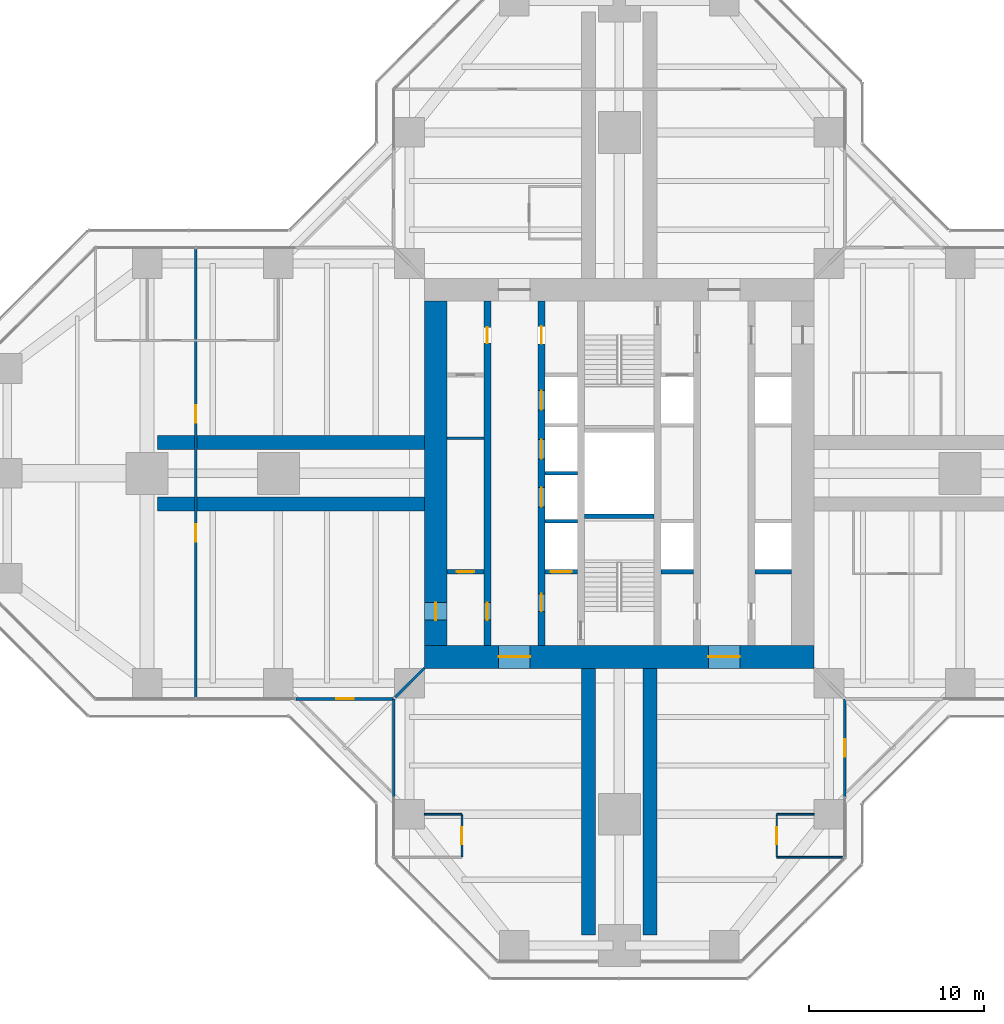
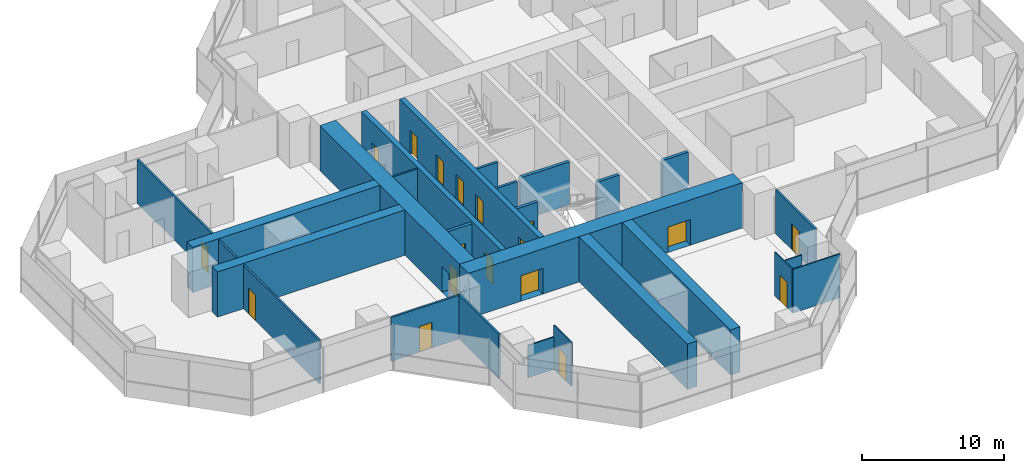
# One storey, part 15 of 19: 26 walls, 18 doors, 18 openings.
"""IFC4 building model written with IfcOpenShell, lengths in metres."""

import ifcopenshell
import ifcopenshell.guid

model = None  # the IFC model being written
_history = None  # IfcOwnerHistory: only IFC2X3 demands one
_inside = {}  # id of a spatial element -> (the spatial element, [elements in it])
_under = {}  # id of a project, library or spatial element -> (it, [spatial elements below it])
_declared = {}  # id of a project -> (the project, [libraries it declares])
_typed = {}  # id of a type object -> (the type object, [elements of that type])
_made_of = {}  # id of a material, layer set ... -> (it, [elements and type objects made of it])


def new_model(schema):
    """Start an empty IFC model of exactly this schema.

    Asked for "IFC4X3", IfcOpenShell would pick the latest addendum, in which some entities
    have other attributes; the version numbers below select the first issue.
    IFC2X3 requires an IfcOwnerHistory on every rooted entity: one is made here for all.
    """
    global model, _history
    if schema == "IFC4X3":
        model = ifcopenshell.file(schema_version=(4, 3, 0, 0))
    else:
        model = ifcopenshell.file(schema=schema)
    _inside.clear()
    _under.clear()
    _declared.clear()
    _typed.clear()
    _made_of.clear()
    _history = None
    if model.schema == "IFC2X3":
        org = make("IfcOrganization", Name="unknown")
        user = make(
            "IfcPersonAndOrganization",
            ThePerson=make("IfcPerson", FamilyName="unknown"),
            TheOrganization=org,
        )
        app = make(
            "IfcApplication",
            ApplicationDeveloper=org,
            Version="unknown",
            ApplicationFullName="unknown",
            ApplicationIdentifier="unknown",
        )
        _history = make(
            "IfcOwnerHistory",
            OwningUser=user,
            OwningApplication=app,
            ChangeAction="ADDED",
            CreationDate=0,
        )
    return model


def make(cls, **values):
    """One entity of the class cls with the attributes given. An attribute that is None is left unset."""
    return model.create_entity(
        cls, **{name: value for name, value in values.items() if value is not None}
    )


def rooted(cls, **values):
    """An entity with a GlobalId (a new one), such as an element, a storey or a relation."""
    return make(cls, GlobalId=ifcopenshell.guid.new(), OwnerHistory=_history, **values)


def si_unit(unit_type, name, prefix=None):
    """IfcSIUnit, for example si_unit("LENGTHUNIT", "METRE", prefix="MILLI")."""
    return make("IfcSIUnit", UnitType=unit_type, Prefix=prefix, Name=name)


def assignment(units):
    """IfcUnitAssignment: the units of a project."""
    return None if units is None else make("IfcUnitAssignment", Units=units)


def point(xyz):
    """IfcCartesianPoint."""
    return None if xyz is None else make("IfcCartesianPoint", Coordinates=xyz)


def direction(xyz):
    """IfcDirection."""
    return None if xyz is None else make("IfcDirection", DirectionRatios=xyz)


def frame(location, z_axis=None, x_axis=None):
    """IfcAxis2Placement3D, a coordinate frame: its origin and axes. An axis left out is left unset."""
    return make(
        "IfcAxis2Placement3D",
        Location=point(location),
        Axis=direction(z_axis),
        RefDirection=direction(x_axis),
    )


def frame_2d(location, x_axis=None):
    """IfcAxis2Placement2D, a coordinate frame in the plane: its origin and x axis."""
    return make(
        "IfcAxis2Placement2D", Location=point(location), RefDirection=direction(x_axis)
    )


def origin():
    """The frame at (0, 0, 0) with its axes left unset."""
    return frame((0.0, 0.0, 0.0))


def place(relative_to, where):
    """IfcLocalPlacement: puts the frame where relative to a parent placement (None: the world)."""
    return make(
        "IfcLocalPlacement", PlacementRelTo=relative_to, RelativePlacement=where
    )


def context(
    kind, dimensions, precision=None, world=None, true_north=None, identifier=None
):
    """IfcGeometricRepresentationContext, for example the 3D "Model" context."""
    return make(
        "IfcGeometricRepresentationContext",
        ContextIdentifier=identifier,
        ContextType=kind,
        CoordinateSpaceDimension=dimensions,
        Precision=precision,
        WorldCoordinateSystem=world,
        TrueNorth=true_north,
    )


def subcontext(parent, identifier, kind, view, scale=None):
    """IfcGeometricRepresentationSubContext, for example "Body" below "Model"."""
    return make(
        "IfcGeometricRepresentationSubContext",
        ContextIdentifier=identifier,
        ContextType=kind,
        ParentContext=parent,
        TargetScale=scale,
        TargetView=view,
    )


def project(units=None, contexts=None):
    """IfcProject with its units and contexts."""
    return rooted(
        "IfcProject",
        Name="project",
        RepresentationContexts=contexts,
        UnitsInContext=assignment(units),
    )


def spatial(cls, under=None, at=None, **own):
    """A site, building, storey or space (cls), placed at a placement, below another one or the project."""
    s = rooted(cls, ObjectPlacement=at, **own)
    if under is not None:
        _under.setdefault(under.id(), (under, []))[1].append(s)
    return s


def profile(cls, at=None, kind="AREA", **sizes):
    """A parametric profile (cls). Its sizes go by their IFC names, for example OverallWidth=200.0."""
    return make(cls, ProfileType=kind, Position=at, **sizes)


def rectangle(**sizes):
    """IfcRectangleProfileDef."""
    return profile("IfcRectangleProfileDef", **sizes)


def extrude(swept, where, along, depth):
    """IfcExtrudedAreaSolid: the profile swept, set in the frame where, extruded along a direction by depth."""
    return make(
        "IfcExtrudedAreaSolid",
        SweptArea=swept,
        Position=where,
        ExtrudedDirection=direction(along),
        Depth=depth,
    )


def shape(context_of_items, identifier, shape_type, items):
    """IfcShapeRepresentation: the items that make up one representation, for example the "Body"."""
    return make(
        "IfcShapeRepresentation",
        ContextOfItems=context_of_items,
        RepresentationIdentifier=identifier,
        RepresentationType=shape_type,
        Items=items,
    )


def material(Name=None, Category=None):
    """IfcMaterial."""
    return make("IfcMaterial", Name=Name, Category=Category)


def layer(
    of_material, thickness, ventilated=None, Name=None, Category=None, Priority=None
):
    """IfcMaterialLayer: one layer of a wall or slab, of a material (None: an air gap)."""
    return make(
        "IfcMaterialLayer",
        Material=of_material,
        LayerThickness=thickness,
        IsVentilated=ventilated,
        Name=Name,
        Category=Category,
        Priority=Priority,
    )


def layer_set(layers, Name=None):
    """IfcMaterialLayerSet."""
    return make("IfcMaterialLayerSet", MaterialLayers=layers, LayerSetName=Name)


def made_of(thing, what):
    """Note that an element or type object is made of a material, layer set ...; save() writes the relation."""
    if what is not None:
        _made_of.setdefault(what.id(), (what, []))[1].append(thing)
    return thing


def type_object(cls, material=None, **own):
    """A type object (cls), such as IfcWallType, which elements share."""
    return made_of(rooted(cls, **own), material)


def element(
    cls,
    number,
    at=None,
    inside=None,
    cuts=None,
    type_object=None,
    material=None,
    context=None,
    identifier="Body",
    shape_type=None,
    held_by="IfcProductDefinitionShape",
    body=None,
    shapes=None,
    **own,
):
    """One element of the class cls, such as IfcWall. Its Tag is "e" and its number.

    at: its placement. inside: the storey or other place that contains it. cuts: it is an
    opening in that element (IfcRelVoidsElement). A single representation is given by context,
    identifier, shape_type and body (its items); several are given by shapes. held_by: the class
    of the entity that holds the representations. save() writes the other relations.
    """
    e = rooted(cls, Tag="e%d" % number, ObjectPlacement=at, **own)
    if body is not None:
        shapes = [shape(context, identifier, shape_type, body)]
    if shapes is not None:
        e.Representation = make(held_by, Representations=shapes)
    if inside is not None:
        _inside.setdefault(inside.id(), (inside, []))[1].append(e)
    if cuts is not None:
        rooted(
            "IfcRelVoidsElement", RelatingBuildingElement=cuts, RelatedOpeningElement=e
        )
    if type_object is not None:
        _typed.setdefault(type_object.id(), (type_object, []))[1].append(e)
    return made_of(e, material)


def fill(opening, filler):
    """IfcRelFillsElement: the door or window that sits in an opening."""
    return rooted(
        "IfcRelFillsElement",
        RelatingOpeningElement=opening,
        RelatedBuildingElement=filler,
    )


def aggregate(whole, parts):
    """IfcRelAggregates: a whole, such as a stair, and the parts it consists of."""
    return rooted("IfcRelAggregates", RelatingObject=whole, RelatedObjects=parts)


def save(model, path):
    """Write the relations noted so far, then the file.

    IfcRelAggregates (storeys below a building ...), IfcRelContainedInSpatialStructure (elements
    in a storey), IfcRelDefinesByType, IfcRelAssociatesMaterial and IfcRelDeclares: one each for
    every whole, place, type object, material and project.
    """
    for whole, parts in _under.values():
        aggregate(whole, parts)
    for where, things in _inside.values():
        rooted(
            "IfcRelContainedInSpatialStructure",
            RelatedElements=things,
            RelatingStructure=where,
        )
    for kind, things in _typed.values():
        rooted("IfcRelDefinesByType", RelatedObjects=things, RelatingType=kind)
    for what, things in _made_of.values():
        rooted("IfcRelAssociatesMaterial", RelatedObjects=things, RelatingMaterial=what)
    for by, libraries in _declared.values():
        rooted("IfcRelDeclares", RelatingContext=by, RelatedDefinitions=libraries)
    model.write(path)


model = new_model("IFC4")

# Units and contexts
model_context = context("Model", 3, precision=1e-05, world=origin(), true_north=direction((0.0, 1.0)))
body_context = subcontext(model_context, "Body", "Model", "MODEL_VIEW")
ifc_project = project(units=[si_unit("LENGTHUNIT", "METRE"), si_unit("AREAUNIT", "SQUARE_METRE"), si_unit("VOLUMEUNIT", "CUBIC_METRE"), si_unit("PLANEANGLEUNIT", "RADIAN"), si_unit("MASSUNIT", "GRAM", prefix="KILO")], contexts=[model_context])

# Site, building, storey
site_placement = place(None, origin())
site = spatial("IfcSite", under=ifc_project, at=site_placement, CompositionType="ELEMENT")
building_placement = place(site_placement, origin())
building = spatial("IfcBuilding", under=site, at=building_placement, Name="Mizan Broadcast Tower", CompositionType="ELEMENT")
storey_placement = place(building_placement, frame((0.0, 0.0, 163.199951171875)))
storey = spatial("IfcBuildingStorey", under=building, at=storey_placement, Name="L37", CompositionType="ELEMENT", Elevation=163.199951171875)

# Wall, openings, doors
ifc_material_1 = material(Name="Concrete C70/85", Category="concrete")
ifc_layer_1 = layer(ifc_material_1, 0.39990234375)
ifc_layer_set_1 = layer_set([ifc_layer_1], Name="Concrete C70/85")
wall_type_1 = type_object("IfcWallType", Name="CORE INTERNAL WALL 400", PredefinedType="SHEAR", material=ifc_layer_set_1)
wall_1_placement = place(storey_placement, frame((-7.550048828125, -9.85009765625, 0.0), z_axis=(0.0, 0.0, 1.0), x_axis=(0.0, 1.0, 0.0)))
wall_1 = element("IfcWall", 1, at=wall_1_placement, inside=storey, type_object=wall_type_1, Name="Core wall CORE/XW1", PredefinedType="SHEAR", context=body_context, shape_type="SweptSolid", body=[
    extrude(rectangle(XDim=19.7001953125, YDim=0.39990234375, at=frame_2d((9.85009765625, 0.0))), origin(), (0.0, 0.0, 1.0), 3.900146484375),
])
opening_1_placement = place(wall_1_placement, frame((1.449951171875, 0.0, 0.0)))
opening_1 = element("IfcOpeningElement", 2, at=opening_1_placement, cuts=wall_1, Name="Opening D10F", PredefinedType="OPENING", context=body_context, shape_type="SweptSolid", body=[
    extrude(rectangle(XDim=1.0, YDim=2.199951171875, at=frame_2d((0.5, 1.10009765625))), frame((0.0, 0.2099609375, 0.0), z_axis=(0.0, -1.0, 0.0), x_axis=(1.0, 0.0, 0.0)), (0.0, 0.0, 1.0), 0.419921875),
])
opening_2_placement = place(wall_1_placement, frame((17.300048828125, 0.0, 0.0)))
opening_2 = element("IfcOpeningElement", 3, at=opening_2_placement, cuts=wall_1, Name="Opening D09", PredefinedType="OPENING", context=body_context, shape_type="SweptSolid", body=[
    extrude(rectangle(XDim=0.89990234375, YDim=2.10009765625, at=frame_2d((0.449951171875, 1.050048828125))), frame((0.0, 0.2099609375, 0.0), z_axis=(0.0, -1.0, 0.0), x_axis=(1.0, 0.0, 0.0)), (0.0, 0.0, 1.0), 0.419921875),
])
ifc_material_2 = material(Name="Steel door leaf in steel frame", Category="steel")
door_type_1 = type_object("IfcDoorType", Name="FIRE DOOR 1000 FD90", OperationType="SINGLE_SWING_LEFT", PredefinedType="DOOR", material=ifc_material_2)
door_1_placement = place(opening_1_placement, origin())
door_1 = element("IfcDoor", 4, at=door_1_placement, inside=storey, type_object=door_type_1, Name="West core passage door", OperationType="SINGLE_SWING_LEFT", OverallHeight=2.199951171875, OverallWidth=1.0, PredefinedType="DOOR", context=body_context, shape_type="SweptSolid", body=[
    extrude(rectangle(XDim=1.0, YDim=2.199951171875, at=frame_2d((0.5, 1.10009765625))), frame((0.0, 0.02490234375, 0.0), z_axis=(0.0, -1.0, 0.0), x_axis=(1.0, 0.0, 0.0)), (0.0, 0.0, 1.0), 0.050048828125),
])
fill(opening_1, door_1)
ifc_material_3 = material(Name="Timber door leaf in aluminium frame", Category="wood")
door_type_2 = type_object("IfcDoorType", Name="TOILET DOOR 900", OperationType="SINGLE_SWING_LEFT", PredefinedType="DOOR", material=ifc_material_3)
door_2_placement = place(opening_2_placement, origin())
door_2 = element("IfcDoor", 5, at=door_2_placement, inside=storey, type_object=door_type_2, Name="Male WC door", OperationType="SINGLE_SWING_RIGHT", OverallHeight=2.10009765625, OverallWidth=0.89990234375, PredefinedType="DOOR", context=body_context, shape_type="SweptSolid", body=[
    extrude(rectangle(XDim=0.89990234375, YDim=2.10009765625, at=frame_2d((0.449951171875, 1.050048828125))), frame((0.0, 0.02490234375, 0.0), z_axis=(0.0, -1.0, 0.0), x_axis=(1.0, 0.0, 0.0)), (0.0, 0.0, 1.0), 0.050048828125),
])
fill(opening_2, door_2)

wall_2_placement = place(storey_placement, frame((-4.449951171875, -9.85009765625, 0.0), z_axis=(0.0, 0.0, 1.0), x_axis=(0.0, 1.0, 0.0)))
wall_2 = element("IfcWall", 6, at=wall_2_placement, inside=storey, type_object=wall_type_1, Name="Core wall CORE/XWH", PredefinedType="SHEAR", context=body_context, shape_type="SweptSolid", body=[
    extrude(rectangle(XDim=19.7001953125, YDim=0.39990234375, at=frame_2d((9.85009765625, 0.0))), origin(), (0.0, 0.0, 1.0), 3.900146484375),
])
opening_3_placement = place(wall_2_placement, frame((1.949951171875, 0.0, 0.0)))
opening_3 = element("IfcOpeningElement", 7, at=opening_3_placement, cuts=wall_2, Name="Opening D10F", PredefinedType="OPENING", context=body_context, shape_type="SweptSolid", body=[
    extrude(rectangle(XDim=1.0, YDim=2.199951171875, at=frame_2d((0.5, 1.10009765625))), frame((0.0, 0.2099609375, 0.0), z_axis=(0.0, -1.0, 0.0), x_axis=(1.0, 0.0, 0.0)), (0.0, 0.0, 1.0), 0.419921875),
])
opening_4_placement = place(wall_2_placement, frame((17.25, 0.0, 0.0)))
opening_4 = element("IfcOpeningElement", 8, at=opening_4_placement, cuts=wall_2, Name="Opening D10A", PredefinedType="OPENING", context=body_context, shape_type="SweptSolid", body=[
    extrude(rectangle(XDim=1.0, YDim=2.10009765625, at=frame_2d((0.5, 1.050048828125))), frame((0.0, 0.2099609375, 0.0), z_axis=(0.0, -1.0, 0.0), x_axis=(1.0, 0.0, 0.0)), (0.0, 0.0, 1.0), 0.419921875),
])
opening_5_placement = place(wall_2_placement, frame((7.925048828125, 0.0, 0.0)))
opening_5 = element("IfcOpeningElement", 9, at=opening_5_placement, cuts=wall_2, Name="Opening LD", PredefinedType="OPENING", context=body_context, shape_type="SweptSolid", body=[
    extrude(rectangle(XDim=1.10009765625, YDim=2.199951171875, at=frame_2d((0.550048828125, 1.10009765625))), frame((0.0, 0.2099609375, 0.0), z_axis=(0.0, -1.0, 0.0), x_axis=(1.0, 0.0, 0.0)), (0.0, 0.0, 1.0), 0.419921875),
])
opening_6_placement = place(wall_2_placement, frame((10.675048828125, 0.0, 0.0)))
opening_6 = element("IfcOpeningElement", 10, at=opening_6_placement, cuts=wall_2, Name="Opening LD", PredefinedType="OPENING", context=body_context, shape_type="SweptSolid", body=[
    extrude(rectangle(XDim=1.10009765625, YDim=2.199951171875, at=frame_2d((0.550048828125, 1.10009765625))), frame((0.0, 0.2099609375, 0.0), z_axis=(0.0, -1.0, 0.0), x_axis=(1.0, 0.0, 0.0)), (0.0, 0.0, 1.0), 0.419921875),
])
opening_7_placement = place(wall_2_placement, frame((13.47509765625, 0.0, 0.0)))
opening_7 = element("IfcOpeningElement", 11, at=opening_7_placement, cuts=wall_2, Name="Opening LD", PredefinedType="OPENING", context=body_context, shape_type="SweptSolid", body=[
    extrude(rectangle(XDim=1.10009765625, YDim=2.199951171875, at=frame_2d((0.550048828125, 1.10009765625))), frame((0.0, 0.2099609375, 0.0), z_axis=(0.0, -1.0, 0.0), x_axis=(1.0, 0.0, 0.0)), (0.0, 0.0, 1.0), 0.419921875),
])
ifc_material_4 = material(Name="Timber door leaf in aluminium frame", Category="wood")
door_type_3 = type_object("IfcDoorType", Name="ACCESSIBLE WC DOOR 1000", OperationType="SLIDING_TO_LEFT", PredefinedType="DOOR", material=ifc_material_4)
door_3_placement = place(opening_4_placement, origin())
door_3 = element("IfcDoor", 12, at=door_3_placement, inside=storey, type_object=door_type_3, Name="Accessible WC door", OperationType="SLIDING_TO_LEFT", OverallHeight=2.10009765625, OverallWidth=1.0, PredefinedType="DOOR", context=body_context, shape_type="SweptSolid", body=[
    extrude(rectangle(XDim=1.0, YDim=2.10009765625, at=frame_2d((0.5, 1.050048828125))), frame((0.0, 0.02490234375, 0.0), z_axis=(0.0, -1.0, 0.0), x_axis=(1.0, 0.0, 0.0)), (0.0, 0.0, 1.0), 0.050048828125),
])
fill(opening_4, door_3)
door_4_placement = place(opening_3_placement, origin())
door_4 = element("IfcDoor", 13, at=door_4_placement, inside=storey, type_object=door_type_1, Name="Firefighting lobby A door", OperationType="SINGLE_SWING_LEFT", OverallHeight=2.199951171875, OverallWidth=1.0, PredefinedType="DOOR", context=body_context, shape_type="SweptSolid", body=[
    extrude(rectangle(XDim=1.0, YDim=2.199951171875, at=frame_2d((0.5, 1.10009765625))), frame((0.0, 0.02490234375, 0.0), z_axis=(0.0, -1.0, 0.0), x_axis=(1.0, 0.0, 0.0)), (0.0, 0.0, 1.0), 0.050048828125),
])
fill(opening_3, door_4)
ifc_material_5 = material(Name="Steel door leaf in steel frame", Category="steel")
door_type_4 = type_object("IfcDoorType", Name="LIFT LANDING DOOR 1100", OperationType="SLIDING_TO_LEFT", PredefinedType="DOOR", material=ifc_material_5)
door_5_placement = place(opening_5_placement, origin())
door_5 = element("IfcDoor", 14, at=door_5_placement, inside=storey, type_object=door_type_4, Name="Landing door LB1", OperationType="SLIDING_TO_LEFT", OverallHeight=2.199951171875, OverallWidth=1.10009765625, PredefinedType="DOOR", context=body_context, shape_type="SweptSolid", body=[
    extrude(rectangle(XDim=1.10009765625, YDim=2.199951171875, at=frame_2d((0.550048828125, 1.10009765625))), frame((0.0, 0.02490234375, 0.0), z_axis=(0.0, -1.0, 0.0), x_axis=(1.0, 0.0, 0.0)), (0.0, 0.0, 1.0), 0.050048828125),
])
fill(opening_5, door_5)
door_6_placement = place(opening_6_placement, origin())
door_6 = element("IfcDoor", 15, at=door_6_placement, inside=storey, type_object=door_type_4, Name="Landing door LB2", OperationType="SLIDING_TO_LEFT", OverallHeight=2.199951171875, OverallWidth=1.10009765625, PredefinedType="DOOR", context=body_context, shape_type="SweptSolid", body=[
    extrude(rectangle(XDim=1.10009765625, YDim=2.199951171875, at=frame_2d((0.550048828125, 1.10009765625))), frame((0.0, 0.02490234375, 0.0), z_axis=(0.0, -1.0, 0.0), x_axis=(1.0, 0.0, 0.0)), (0.0, 0.0, 1.0), 0.050048828125),
])
fill(opening_6, door_6)
door_7_placement = place(opening_7_placement, origin())
door_7 = element("IfcDoor", 16, at=door_7_placement, inside=storey, type_object=door_type_4, Name="Landing door LB3", OperationType="SLIDING_TO_LEFT", OverallHeight=2.199951171875, OverallWidth=1.10009765625, PredefinedType="DOOR", context=body_context, shape_type="SweptSolid", body=[
    extrude(rectangle(XDim=1.10009765625, YDim=2.199951171875, at=frame_2d((0.550048828125, 1.10009765625))), frame((0.0, 0.02490234375, 0.0), z_axis=(0.0, -1.0, 0.0), x_axis=(1.0, 0.0, 0.0)), (0.0, 0.0, 1.0), 0.050048828125),
])
fill(opening_7, door_7)

# Wall
ifc_material_6 = material(Name="Concrete blockwork", Category="masonry")
ifc_layer_2 = layer(ifc_material_6, 0.14990234375)
ifc_layer_set_2 = layer_set([ifc_layer_2], Name="Concrete blockwork")
wall_type_2 = type_object("IfcWallType", Name="CORE PARTITION 150", PredefinedType="SOLIDWALL", material=ifc_layer_set_2)
wall_3_placement = place(storey_placement, frame((-9.85009765625, 2.0, 0.0), z_axis=(0.0, 0.0, 1.0), x_axis=(1.0, 0.0, 0.0)))
element("IfcWall", 17, at=wall_3_placement, inside=storey, type_object=wall_type_2, Name="Core partition CORE/XP1", PredefinedType="SOLIDWALL", context=body_context, shape_type="SweptSolid", body=[
    extrude(rectangle(XDim=2.10009765625, YDim=0.14990234375, at=frame_2d((1.050048828125, 0.0))), origin(), (0.0, 0.0, 1.0), 3.77001953125),
])

# Wall, openings, doors
ifc_material_7 = material(Name="Concrete C70/85", Category="concrete")
ifc_layer_3 = layer(ifc_material_7, 1.300048828125)
ifc_layer_set_3 = layer_set([ifc_layer_3], Name="Concrete C70/85")
wall_type_3 = type_object("IfcWallType", Name="CORE WALL 1300", PredefinedType="SHEAR", material=ifc_layer_set_3)
wall_4_placement = place(storey_placement, frame((11.14990234375, -10.5, 0.0), z_axis=(0.0, 0.0, 1.0), x_axis=(-1.0, 0.0, 0.0)))
wall_4 = element("IfcWall", 18, at=wall_4_placement, inside=storey, type_object=wall_type_3, Name="Core wall S L37", PredefinedType="SHEAR", context=body_context, shape_type="SweptSolid", body=[
    extrude(rectangle(XDim=22.2998046875, YDim=1.300048828125, at=frame_2d((11.14990234375, 0.0))), origin(), (0.0, 0.0, 1.0), 3.900146484375),
])
opening_8_placement = place(wall_4_placement, frame((16.25, 0.0, 0.0)))
opening_8 = element("IfcOpeningElement", 19, at=opening_8_placement, cuts=wall_4, Name="Opening D18F", PredefinedType="OPENING", context=body_context, shape_type="SweptSolid", body=[
    extrude(rectangle(XDim=1.800048828125, YDim=2.199951171875, at=frame_2d((0.89990234375, 1.10009765625))), frame((0.0, 0.659912109375, 0.0), z_axis=(0.0, -1.0, 0.0), x_axis=(1.0, 0.0, 0.0)), (0.0, 0.0, 1.0), 1.320068359375),
])
opening_9_placement = place(wall_4_placement, frame((4.25, 0.0, 0.0)))
opening_9 = element("IfcOpeningElement", 20, at=opening_9_placement, cuts=wall_4, Name="Opening D18F", PredefinedType="OPENING", context=body_context, shape_type="SweptSolid", body=[
    extrude(rectangle(XDim=1.800048828125, YDim=2.199951171875, at=frame_2d((0.89990234375, 1.10009765625))), frame((0.0, 0.659912109375, 0.0), z_axis=(0.0, -1.0, 0.0), x_axis=(1.0, 0.0, 0.0)), (0.0, 0.0, 1.0), 1.320068359375),
])
ifc_material_8 = material(Name="Steel door leaf in steel frame", Category="steel")
door_type_5 = type_object("IfcDoorType", Name="LOBBY DOUBLE DOOR 1800 FD90", OperationType="DOUBLE_DOOR_DOUBLE_SWING", PredefinedType="DOOR", material=ifc_material_8)
door_8_placement = place(opening_8_placement, origin())
door_8 = element("IfcDoor", 21, at=door_8_placement, inside=storey, type_object=door_type_5, Name="West lift lobby south door", OperationType="DOUBLE_DOOR_DOUBLE_SWING", OverallHeight=2.199951171875, OverallWidth=1.800048828125, PredefinedType="DOOR", context=body_context, shape_type="SweptSolid", body=[
    extrude(rectangle(XDim=1.800048828125, YDim=2.199951171875, at=frame_2d((0.89990234375, 1.10009765625))), frame((0.0, 0.02490234375, 0.0), z_axis=(0.0, -1.0, 0.0), x_axis=(1.0, 0.0, 0.0)), (0.0, 0.0, 1.0), 0.050048828125),
])
fill(opening_8, door_8)
door_9_placement = place(opening_9_placement, origin())
door_9 = element("IfcDoor", 22, at=door_9_placement, inside=storey, type_object=door_type_5, Name="East lift lobby south door", OperationType="DOUBLE_DOOR_DOUBLE_SWING", OverallHeight=2.199951171875, OverallWidth=1.800048828125, PredefinedType="DOOR", context=body_context, shape_type="SweptSolid", body=[
    extrude(rectangle(XDim=1.800048828125, YDim=2.199951171875, at=frame_2d((0.89990234375, 1.10009765625))), frame((0.0, 0.02490234375, 0.0), z_axis=(0.0, -1.0, 0.0), x_axis=(1.0, 0.0, 0.0)), (0.0, 0.0, 1.0), 0.050048828125),
])
fill(opening_9, door_9)

# Wall, opening, door
wall_5_placement = place(storey_placement, frame((-10.5, 9.85009765625, 0.0), z_axis=(0.0, 0.0, 1.0), x_axis=(0.0, -1.0, 0.0)))
wall_5 = element("IfcWall", 23, at=wall_5_placement, inside=storey, type_object=wall_type_3, Name="Core wall W L37", PredefinedType="SHEAR", context=body_context, shape_type="SweptSolid", body=[
    extrude(rectangle(XDim=19.7001953125, YDim=1.300048828125, at=frame_2d((9.85009765625, 0.0))), origin(), (0.0, 0.0, 1.0), 3.900146484375),
])
opening_10_placement = place(wall_5_placement, frame((17.25, 0.0, 0.0)))
opening_10 = element("IfcOpeningElement", 24, at=opening_10_placement, cuts=wall_5, Name="Opening D10F", PredefinedType="OPENING", context=body_context, shape_type="SweptSolid", body=[
    extrude(rectangle(XDim=1.0, YDim=2.199951171875, at=frame_2d((0.5, 1.10009765625))), frame((0.0, 0.659912109375, 0.0), z_axis=(0.0, -1.0, 0.0), x_axis=(1.0, 0.0, 0.0)), (0.0, 0.0, 1.0), 1.320068359375),
])
door_10_placement = place(opening_10_placement, origin())
door_10 = element("IfcDoor", 25, at=door_10_placement, inside=storey, type_object=door_type_1, Name="West core passage arm door", OperationType="SINGLE_SWING_RIGHT", OverallHeight=2.199951171875, OverallWidth=1.0, PredefinedType="DOOR", context=body_context, shape_type="SweptSolid", body=[
    extrude(rectangle(XDim=1.0, YDim=2.199951171875, at=frame_2d((0.5, 1.10009765625))), frame((0.0, 0.02490234375, 0.0), z_axis=(0.0, -1.0, 0.0), x_axis=(1.0, 0.0, 0.0)), (0.0, 0.0, 1.0), 0.050048828125),
])
fill(opening_10, door_10)

ifc_material_9 = material(Name="Aluminium framed glazed screen", Category="aluminium")
ifc_layer_4 = layer(ifc_material_9, 0.159912109375)
ifc_layer_set_4 = layer_set([ifc_layer_4], Name="Aluminium framed glazed screen")
wall_type_4 = type_object("IfcWallType", Name="GLAZED SCREEN WALL 160", PredefinedType="SOLIDWALL", material=ifc_layer_set_4)
wall_6_placement = place(storey_placement, frame((-18.5, -12.89990234375, 0.0), z_axis=(0.0, 0.0, 1.0), x_axis=(1.0, 0.0, 0.0)))
wall_6 = element("IfcWall", 26, at=wall_6_placement, inside=storey, type_object=wall_type_4, Name="Winter garden screen L37 W", PredefinedType="SOLIDWALL", context=body_context, shape_type="SweptSolid", body=[
    extrude(rectangle(XDim=5.60009765625, YDim=0.159912109375, at=frame_2d((2.800048828125, 0.0))), origin(), (0.0, 0.0, 1.0), 3.77001953125),
])
opening_11_placement = place(wall_6_placement, frame((2.300048828125, 0.0, 0.0)))
opening_11 = element("IfcOpeningElement", 27, at=opening_11_placement, cuts=wall_6, Name="Opening WGD", PredefinedType="OPENING", context=body_context, shape_type="SweptSolid", body=[
    extrude(rectangle(XDim=1.0, YDim=2.199951171875, at=frame_2d((0.5, 1.10009765625))), frame((0.0, 0.08984375, 0.0), z_axis=(0.0, -1.0, 0.0), x_axis=(1.0, 0.0, 0.0)), (0.0, 0.0, 1.0), 0.179931640625),
])
ifc_material_10 = material(Name="Aluminium framed glazed door", Category="aluminium")
door_type_6 = type_object("IfcDoorType", Name="WINTER GARDEN DOOR 1000 GLAZED", OperationType="SINGLE_SWING_LEFT", PredefinedType="DOOR", material=ifc_material_10)
door_11_placement = place(opening_11_placement, origin())
door_11 = element("IfcDoor", 28, at=door_11_placement, inside=storey, type_object=door_type_6, Name="Winter garden door L37 W", OperationType="SINGLE_SWING_RIGHT", OverallHeight=2.199951171875, OverallWidth=1.0, PredefinedType="DOOR", context=body_context, shape_type="SweptSolid", body=[
    extrude(rectangle(XDim=1.0, YDim=2.199951171875, at=frame_2d((0.5, 1.10009765625))), frame((0.0, 0.02490234375, 0.0), z_axis=(0.0, -1.0, 0.0), x_axis=(1.0, 0.0, 0.0)), (0.0, 0.0, 1.0), 0.050048828125),
])
fill(opening_11, door_11)

# Wall
wall_7_placement = place(storey_placement, frame((-12.89990234375, -12.89990234375, 0.0), z_axis=(0.0, 0.0, 1.0), x_axis=(0.0, -1.0, 0.0)))
element("IfcWall", 29, at=wall_7_placement, inside=storey, type_object=wall_type_4, Name="Winter garden screen L37 S", PredefinedType="SOLIDWALL", context=body_context, shape_type="SweptSolid", body=[
    extrude(rectangle(XDim=5.60009765625, YDim=0.159912109375, at=frame_2d((2.800048828125, 0.0))), origin(), (0.0, 0.0, 1.0), 3.77001953125),
])

# Wall, opening, door
wall_8_placement = place(storey_placement, frame((12.89990234375, -18.5, 0.0), z_axis=(0.0, 0.0, 1.0), x_axis=(0.0, 1.0, 0.0)))
wall_8 = element("IfcWall", 30, at=wall_8_placement, inside=storey, type_object=wall_type_4, Name="Winter garden screen L37 S", PredefinedType="SOLIDWALL", context=body_context, shape_type="SweptSolid", body=[
    extrude(rectangle(XDim=5.60009765625, YDim=0.159912109375, at=frame_2d((2.800048828125, 0.0))), origin(), (0.0, 0.0, 1.0), 3.77001953125),
])
opening_12_placement = place(wall_8_placement, frame((2.300048828125, 0.0, 0.0)))
opening_12 = element("IfcOpeningElement", 31, at=opening_12_placement, cuts=wall_8, Name="Opening WGD", PredefinedType="OPENING", context=body_context, shape_type="SweptSolid", body=[
    extrude(rectangle(XDim=1.0, YDim=2.199951171875, at=frame_2d((0.5, 1.10009765625))), frame((0.0, 0.08984375, 0.0), z_axis=(0.0, -1.0, 0.0), x_axis=(1.0, 0.0, 0.0)), (0.0, 0.0, 1.0), 0.179931640625),
])
door_12_placement = place(opening_12_placement, origin())
door_12 = element("IfcDoor", 32, at=door_12_placement, inside=storey, type_object=door_type_6, Name="Winter garden door L37 S", OperationType="SINGLE_SWING_RIGHT", OverallHeight=2.199951171875, OverallWidth=1.0, PredefinedType="DOOR", context=body_context, shape_type="SweptSolid", body=[
    extrude(rectangle(XDim=1.0, YDim=2.199951171875, at=frame_2d((0.5, 1.10009765625))), frame((0.0, 0.02490234375, 0.0), z_axis=(0.0, -1.0, 0.0), x_axis=(1.0, 0.0, 0.0)), (0.0, 0.0, 1.0), 0.050048828125),
])
fill(opening_12, door_12)

# Walls
ifc_material_11 = material(Name="Concrete blockwork", Category="masonry")
ifc_layer_5 = layer(ifc_material_11, 0.199951171875)
ifc_layer_set_5 = layer_set([ifc_layer_5], Name="Concrete blockwork")
wall_type_5 = type_object("IfcWallType", Name="LIFT SHAFT WALL 200", PredefinedType="SOLIDWALL", material=ifc_layer_set_5)
for number, where, z_axis, x_axis, name in (
    (33, (-4.25, -2.75, 0.0), (0.0, 0.0, 1.0), (1.0, 0.0, 0.0), "Lift shaft wall CORE/SW2-1"),
    (34, (-4.25, 0.0, 0.0), (0.0, 0.0, 1.0), (1.0, 0.0, 0.0), "Lift shaft wall CORE/SW2-2"),
):
    element("IfcWall", number, at=place(storey_placement, frame(where, z_axis=z_axis, x_axis=x_axis)), inside=storey, type_object=wall_type_5, Name=name, PredefinedType="SOLIDWALL", context=body_context, shape_type="SweptSolid", body=[
        extrude(rectangle(XDim=1.85009765625, YDim=0.199951171875, at=frame_2d((0.925048828125, 0.0))), origin(), (0.0, 0.0, 1.0), 3.699951171875),
    ])

# Wall, opening, door
ifc_material_12 = material(Name="Concrete blockwork", Category="masonry")
ifc_layer_6 = layer(ifc_material_12, 0.25)
ifc_layer_set_6 = layer_set([ifc_layer_6], Name="Concrete blockwork")
wall_type_6 = type_object("IfcWallType", Name="LOBBY ENCLOSURE WALL 250", PredefinedType="SOLIDWALL", material=ifc_layer_set_6)
wall_9_placement = place(storey_placement, frame((-9.85009765625, -5.625, 0.0), z_axis=(0.0, 0.0, 1.0), x_axis=(1.0, 0.0, 0.0)))
wall_9 = element("IfcWall", 35, at=wall_9_placement, inside=storey, type_object=wall_type_6, Name="Lobby enclosure wall CORE/BW1S", PredefinedType="SOLIDWALL", context=body_context, shape_type="SweptSolid", body=[
    extrude(rectangle(XDim=2.10009765625, YDim=0.25, at=frame_2d((1.050048828125, 0.0))), origin(), (0.0, 0.0, 1.0), 3.699951171875),
])
opening_13_placement = place(wall_9_placement, frame((0.550048828125, 0.0, 0.0)))
opening_13 = element("IfcOpeningElement", 36, at=opening_13_placement, cuts=wall_9, Name="Opening D10F", PredefinedType="OPENING", context=body_context, shape_type="SweptSolid", body=[
    extrude(rectangle(XDim=1.0, YDim=2.199951171875, at=frame_2d((0.5, 1.10009765625))), frame((0.0, 0.135009765625, 0.0), z_axis=(0.0, -1.0, 0.0), x_axis=(1.0, 0.0, 0.0)), (0.0, 0.0, 1.0), 0.27001953125),
])
door_13_placement = place(opening_13_placement, origin())
door_13 = element("IfcDoor", 37, at=door_13_placement, inside=storey, type_object=door_type_1, Name="Print room door", OperationType="SINGLE_SWING_RIGHT", OverallHeight=2.199951171875, OverallWidth=1.0, PredefinedType="DOOR", context=body_context, shape_type="SweptSolid", body=[
    extrude(rectangle(XDim=1.0, YDim=2.199951171875, at=frame_2d((0.5, 1.10009765625))), frame((0.0, 0.02490234375, 0.0), z_axis=(0.0, -1.0, 0.0), x_axis=(1.0, 0.0, 0.0)), (0.0, 0.0, 1.0), 0.050048828125),
])
fill(opening_13, door_13)

wall_10_placement = place(storey_placement, frame((-4.25, -5.625, 0.0), z_axis=(0.0, 0.0, 1.0), x_axis=(1.0, 0.0, 0.0)))
wall_10 = element("IfcWall", 38, at=wall_10_placement, inside=storey, type_object=wall_type_6, Name="Lobby enclosure wall CORE/BW2S", PredefinedType="SOLIDWALL", context=body_context, shape_type="SweptSolid", body=[
    extrude(rectangle(XDim=1.85009765625, YDim=0.25, at=frame_2d((0.925048828125, 0.0))), origin(), (0.0, 0.0, 1.0), 3.699951171875),
])
opening_14_placement = place(wall_10_placement, frame((0.324951171875, 0.0, 0.0)))
opening_14 = element("IfcOpeningElement", 39, at=opening_14_placement, cuts=wall_10, Name="Opening LDF", PredefinedType="OPENING", context=body_context, shape_type="SweptSolid", body=[
    extrude(rectangle(XDim=1.199951171875, YDim=2.199951171875, at=frame_2d((0.60009765625, 1.10009765625))), frame((0.0, 0.135009765625, 0.0), z_axis=(0.0, -1.0, 0.0), x_axis=(1.0, 0.0, 0.0)), (0.0, 0.0, 1.0), 0.27001953125),
])
ifc_material_13 = material(Name="Steel door leaf in steel frame", Category="steel")
door_type_7 = type_object("IfcDoorType", Name="FIREFIGHTING LIFT LANDING DOOR 1200", OperationType="SLIDING_TO_LEFT", PredefinedType="DOOR", material=ifc_material_13)
door_14_placement = place(opening_14_placement, origin())
door_14 = element("IfcDoor", 40, at=door_14_placement, inside=storey, type_object=door_type_7, Name="Landing door FF1", OperationType="SLIDING_TO_LEFT", OverallHeight=2.199951171875, OverallWidth=1.199951171875, PredefinedType="DOOR", context=body_context, shape_type="SweptSolid", body=[
    extrude(rectangle(XDim=1.199951171875, YDim=2.199951171875, at=frame_2d((0.60009765625, 1.10009765625))), frame((0.0, 0.02490234375, 0.0), z_axis=(0.0, -1.0, 0.0), x_axis=(1.0, 0.0, 0.0)), (0.0, 0.0, 1.0), 0.050048828125),
])
fill(opening_14, door_14)

# Walls
wall_11_placement = place(storey_placement, frame((2.39990234375, -5.625, 0.0), z_axis=(0.0, 0.0, 1.0), x_axis=(1.0, 0.0, 0.0)))
element("IfcWall", 41, at=wall_11_placement, inside=storey, type_object=wall_type_6, Name="Lobby enclosure wall CORE/BE2S", PredefinedType="SOLIDWALL", context=body_context, shape_type="SweptSolid", body=[
    extrude(rectangle(XDim=1.85009765625, YDim=0.25, at=frame_2d((0.925048828125, 0.0))), origin(), (0.0, 0.0, 1.0), 3.699951171875),
])
wall_12_placement = place(storey_placement, frame((7.75, -5.625, 0.0), z_axis=(0.0, 0.0, 1.0), x_axis=(1.0, 0.0, 0.0)))
element("IfcWall", 42, at=wall_12_placement, inside=storey, type_object=wall_type_6, Name="Lobby enclosure wall CORE/BE1S", PredefinedType="SOLIDWALL", context=body_context, shape_type="SweptSolid", body=[
    extrude(rectangle(XDim=2.10009765625, YDim=0.25, at=frame_2d((1.050048828125, 0.0))), origin(), (0.0, 0.0, 1.0), 3.699951171875),
])
wall_13_placement = place(storey_placement, frame((-2.0, -2.449951171875, 0.0), z_axis=(0.0, 0.0, 1.0), x_axis=(1.0, 0.0, 0.0)))
element("IfcWall", 43, at=wall_13_placement, inside=storey, type_object=wall_type_6, Name="Lobby enclosure wall CORE/STA", PredefinedType="SOLIDWALL", context=body_context, shape_type="SweptSolid", body=[
    extrude(rectangle(XDim=4.0, YDim=0.25, at=frame_2d((2.0, 0.0))), origin(), (0.0, 0.0, 1.0), 3.699951171875),
])

# Wall, openings, doors
ifc_material_14 = material(Name="Gypsum board on steel studs", Category="steel")
ifc_layer_7 = layer(ifc_material_14, 0.14990234375)
ifc_layer_set_7 = layer_set([ifc_layer_7], Name="Gypsum board on steel studs")
wall_type_7 = type_object("IfcWallType", Name="PARTITION 150", PredefinedType="PARTITIONING", material=ifc_layer_set_7)
wall_14_placement = place(storey_placement, frame((-24.22900390625, 12.820068359375, 0.0), z_axis=(0.0, 0.0, 1.0), x_axis=(0.0, -1.0, 0.0)))
wall_14 = element("IfcWall", 44, at=wall_14_placement, inside=storey, type_object=wall_type_7, Name="Partition PT/WX1", PredefinedType="PARTITIONING", context=body_context, shape_type="SweptSolid", body=[
    extrude(rectangle(XDim=25.64013671875, YDim=0.14990234375, at=frame_2d((12.820068359375, 0.0))), origin(), (0.0, 0.0, 1.0), 3.77001953125),
])
opening_15_placement = place(wall_14_placement, frame((15.719970703125, 0.0, 0.0)))
opening_15 = element("IfcOpeningElement", 45, at=opening_15_placement, cuts=wall_14, Name="Opening D10", PredefinedType="OPENING", context=body_context, shape_type="SweptSolid", body=[
    extrude(rectangle(XDim=1.0, YDim=2.199951171875, at=frame_2d((0.5, 1.10009765625))), frame((0.0, 0.0849609375, 0.0), z_axis=(0.0, -1.0, 0.0), x_axis=(1.0, 0.0, 0.0)), (0.0, 0.0, 1.0), 0.169921875),
])
opening_16_placement = place(wall_14_placement, frame((8.919921875, 0.0, 0.0)))
opening_16 = element("IfcOpeningElement", 46, at=opening_16_placement, cuts=wall_14, Name="Opening D10", PredefinedType="OPENING", context=body_context, shape_type="SweptSolid", body=[
    extrude(rectangle(XDim=1.0, YDim=2.199951171875, at=frame_2d((0.5, 1.10009765625))), frame((0.0, 0.0849609375, 0.0), z_axis=(0.0, -1.0, 0.0), x_axis=(1.0, 0.0, 0.0)), (0.0, 0.0, 1.0), 0.169921875),
])
ifc_material_15 = material(Name="Timber door leaf in aluminium frame", Category="wood")
door_type_8 = type_object("IfcDoorType", Name="ROOM DOOR 1000", OperationType="SINGLE_SWING_LEFT", PredefinedType="DOOR", material=ifc_material_15)
door_15_placement = place(opening_15_placement, origin())
door_15 = element("IfcDoor", 47, at=door_15_placement, inside=storey, type_object=door_type_8, Name="Open office door", OperationType="SINGLE_SWING_RIGHT", OverallHeight=2.199951171875, OverallWidth=1.0, PredefinedType="DOOR", context=body_context, shape_type="SweptSolid", body=[
    extrude(rectangle(XDim=1.0, YDim=2.199951171875, at=frame_2d((0.5, 1.10009765625))), frame((0.0, 0.02490234375, 0.0), z_axis=(0.0, -1.0, 0.0), x_axis=(1.0, 0.0, 0.0)), (0.0, 0.0, 1.0), 0.050048828125),
])
fill(opening_15, door_15)
door_16_placement = place(opening_16_placement, origin())
door_16 = element("IfcDoor", 48, at=door_16_placement, inside=storey, type_object=door_type_8, Name="Open office door", OperationType="SINGLE_SWING_LEFT", OverallHeight=2.199951171875, OverallWidth=1.0, PredefinedType="DOOR", context=body_context, shape_type="SweptSolid", body=[
    extrude(rectangle(XDim=1.0, YDim=2.199951171875, at=frame_2d((0.5, 1.10009765625))), frame((0.0, 0.02490234375, 0.0), z_axis=(0.0, -1.0, 0.0), x_axis=(1.0, 0.0, 0.0)), (0.0, 0.0, 1.0), 0.050048828125),
])
fill(opening_16, door_16)

# Wall
wall_15_placement = place(storey_placement, frame((-11.14990234375, -11.14990234375, 0.0), z_axis=(0.0, 0.0, 1.0), x_axis=(-0.707106781187, -0.707106781187, 0.0)))
element("IfcWall", 49, at=wall_15_placement, inside=storey, type_object=wall_type_7, Name="Partition PT/DGWS", PredefinedType="PARTITIONING", context=body_context, shape_type="SweptSolid", body=[
    extrude(rectangle(XDim=2.362060546875, YDim=0.14990234375, at=frame_2d((1.18115234375, 0.0))), origin(), (0.0, 0.0, 1.0), 3.219970703125),
])

# Wall, opening, door
ifc_material_16 = material(Name="Glazed aluminium partition on aluminium track", Category="aluminium")
ifc_layer_8 = layer(ifc_material_16, 0.10009765625)
ifc_layer_set_8 = layer_set([ifc_layer_8], Name="Glazed aluminium partition on aluminium track")
wall_type_8 = type_object("IfcWallType", Name="PARTITION GLAZED OFFICE FRONT 100", PredefinedType="PARTITIONING", material=ifc_layer_set_8)
wall_16_placement = place(storey_placement, frame((9.0, -19.5, 0.0), z_axis=(0.0, 0.0, 1.0), x_axis=(0.0, -1.0, 0.0)))
wall_16 = element("IfcWall", 50, at=wall_16_placement, inside=storey, type_object=wall_type_8, Name="Glazed office front PT/SCP0", PredefinedType="PARTITIONING", context=body_context, shape_type="SweptSolid", body=[
    extrude(rectangle(XDim=2.458984375, YDim=0.10009765625, at=frame_2d((1.2294921875, 0.0))), origin(), (0.0, 0.0, 1.0), 3.77001953125),
])
opening_17_placement = place(wall_16_placement, frame((0.7294921875, 0.0, 0.0)))
opening_17 = element("IfcOpeningElement", 51, at=opening_17_placement, cuts=wall_16, Name="Opening D10O", PredefinedType="OPENING", context=body_context, shape_type="SweptSolid", body=[
    extrude(rectangle(XDim=1.0, YDim=2.199951171875, at=frame_2d((0.5, 1.10009765625))), frame((0.0, 0.06005859375, 0.0), z_axis=(0.0, -1.0, 0.0), x_axis=(1.0, 0.0, 0.0)), (0.0, 0.0, 1.0), 0.1201171875),
])
ifc_material_17 = material(Name="Timber door leaf in aluminium frame", Category="wood")
door_type_9 = type_object("IfcDoorType", Name="OFFICE DOOR 1000 GLAZED", OperationType="SINGLE_SWING_LEFT", PredefinedType="DOOR", material=ifc_material_17)
door_17_placement = place(opening_17_placement, origin())
door_17 = element("IfcDoor", 52, at=door_17_placement, inside=storey, type_object=door_type_9, Name="Office door", OperationType="SINGLE_SWING_LEFT", OverallHeight=2.199951171875, OverallWidth=1.0, PredefinedType="DOOR", context=body_context, shape_type="SweptSolid", body=[
    extrude(rectangle(XDim=1.0, YDim=2.199951171875, at=frame_2d((0.5, 1.10009765625))), frame((0.0, 0.02490234375, 0.0), z_axis=(0.0, -1.0, 0.0), x_axis=(1.0, 0.0, 0.0)), (0.0, 0.0, 1.0), 0.050048828125),
])
fill(opening_17, door_17)

# Walls
wall_17_placement = place(storey_placement, frame((9.0, -19.5, 0.0), z_axis=(0.0, 0.0, 1.0), x_axis=(1.0, 0.0, 0.0)))
element("IfcWall", 53, at=wall_17_placement, inside=storey, type_object=wall_type_8, Name="Glazed office front PT/SQP1950", PredefinedType="PARTITIONING", context=body_context, shape_type="SweptSolid", body=[
    extrude(rectangle(XDim=2.14990234375, YDim=0.10009765625, at=frame_2d((1.074951171875, 0.0))), origin(), (0.0, 0.0, 1.0), 2.77001953125),
])
wall_18_placement = place(storey_placement, frame((9.0, -21.958984375, 0.0), z_axis=(0.0, 0.0, 1.0), x_axis=(1.0, 0.0, 0.0)))
element("IfcWall", 54, at=wall_18_placement, inside=storey, type_object=wall_type_8, Name="Glazed office front PT/SQP2196", PredefinedType="PARTITIONING", context=body_context, shape_type="SweptSolid", body=[
    extrude(rectangle(XDim=3.820068359375, YDim=0.10009765625, at=frame_2d((1.91015625, 0.0))), origin(), (0.0, 0.0, 1.0), 3.77001953125),
])

# Wall, opening, door
wall_19_placement = place(storey_placement, frame((-9.0, -19.5, 0.0), z_axis=(0.0, 0.0, 1.0), x_axis=(0.0, -1.0, 0.0)))
wall_19 = element("IfcWall", 55, at=wall_19_placement, inside=storey, type_object=wall_type_8, Name="Glazed office front PT/SCN0", PredefinedType="PARTITIONING", context=body_context, shape_type="SweptSolid", body=[
    extrude(rectangle(XDim=2.458984375, YDim=0.10009765625, at=frame_2d((1.2294921875, 0.0))), origin(), (0.0, 0.0, 1.0), 3.77001953125),
])
opening_18_placement = place(wall_19_placement, frame((0.7294921875, 0.0, 0.0)))
opening_18 = element("IfcOpeningElement", 56, at=opening_18_placement, cuts=wall_19, Name="Opening D10O", PredefinedType="OPENING", context=body_context, shape_type="SweptSolid", body=[
    extrude(rectangle(XDim=1.0, YDim=2.199951171875, at=frame_2d((0.5, 1.10009765625))), frame((0.0, 0.06005859375, 0.0), z_axis=(0.0, -1.0, 0.0), x_axis=(1.0, 0.0, 0.0)), (0.0, 0.0, 1.0), 0.1201171875),
])
door_18_placement = place(opening_18_placement, origin())
door_18 = element("IfcDoor", 57, at=door_18_placement, inside=storey, type_object=door_type_9, Name="Scanning room door", OperationType="SINGLE_SWING_LEFT", OverallHeight=2.199951171875, OverallWidth=1.0, PredefinedType="DOOR", context=body_context, shape_type="SweptSolid", body=[
    extrude(rectangle(XDim=1.0, YDim=2.199951171875, at=frame_2d((0.5, 1.10009765625))), frame((0.0, 0.02490234375, 0.0), z_axis=(0.0, -1.0, 0.0), x_axis=(1.0, 0.0, 0.0)), (0.0, 0.0, 1.0), 0.050048828125),
])
fill(opening_18, door_18)

# Walls
wall_20_placement = place(storey_placement, frame((-9.0, -19.5, 0.0), z_axis=(0.0, 0.0, 1.0), x_axis=(-1.0, 0.0, 0.0)))
element("IfcWall", 58, at=wall_20_placement, inside=storey, type_object=wall_type_8, Name="Glazed office front PT/SQN1950", PredefinedType="PARTITIONING", context=body_context, shape_type="SweptSolid", body=[
    extrude(rectangle(XDim=2.14990234375, YDim=0.10009765625, at=frame_2d((1.074951171875, 0.0))), origin(), (0.0, 0.0, 1.0), 2.77001953125),
])
ifc_material_18 = material(Name="Concrete C70/85", Category="concrete")
ifc_layer_9 = layer(ifc_material_18, 0.800048828125)
ifc_layer_set_9 = layer_set([ifc_layer_9], Name="Concrete C70/85")
wall_type_9 = type_object("IfcWallType", Name="SPINE WALL 800", PredefinedType="SHEAR", material=ifc_layer_set_9)
for number, where, z_axis, x_axis, name in (
    (59, (-11.14990234375, 1.75, 0.0), (0.0, 0.0, 1.0), (-1.0, 0.0, 0.0), "Spine wall WR L37"),
    (60, (-11.14990234375, -1.75, 0.0), (0.0, 0.0, 1.0), (-1.0, 0.0, 0.0), "Spine wall WL L37"),
    (61, (-1.75, -11.14990234375, 0.0), (0.0, 0.0, 1.0), (0.0, -1.0, 0.0), "Spine wall SR L37"),
    (62, (1.75, -11.14990234375, 0.0), (0.0, 0.0, 1.0), (0.0, -1.0, 0.0), "Spine wall SL L37"),
):
    element("IfcWall", number, at=place(storey_placement, frame(where, z_axis=z_axis, x_axis=x_axis)), inside=storey, type_object=wall_type_9, Name=name, PredefinedType="SHEAR", context=body_context, shape_type="SweptSolid", body=[
        extrude(rectangle(XDim=15.25, YDim=0.800048828125, at=frame_2d((7.625, 0.0))), origin(), (0.0, 0.0, 1.0), 3.900146484375),
    ])

save(model, "model.ifc")
